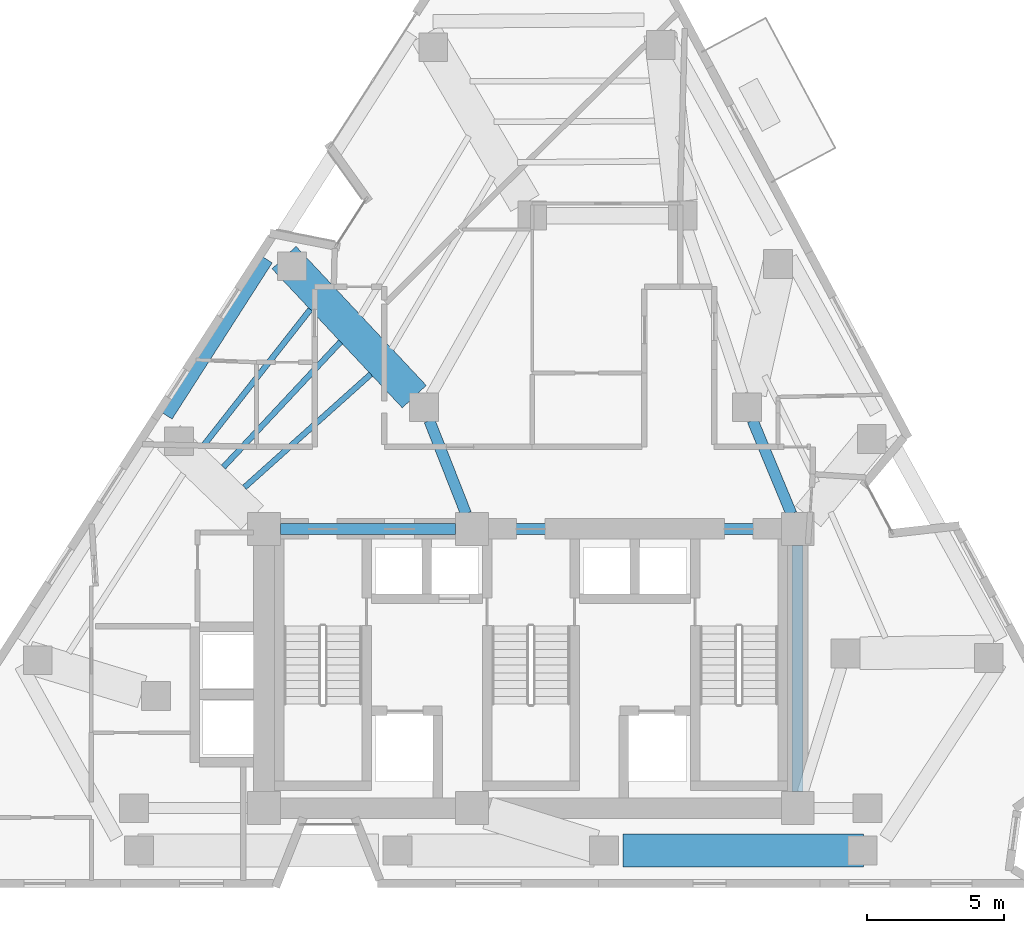
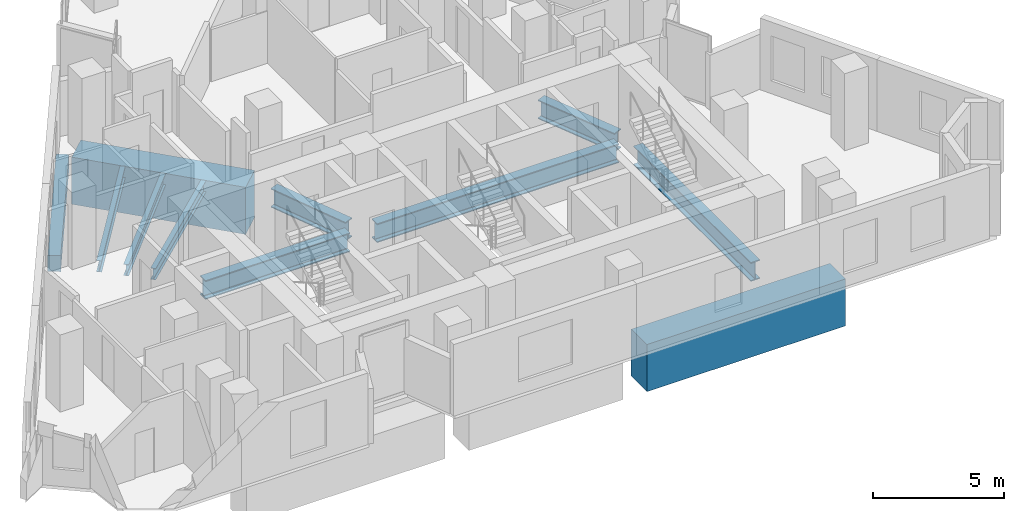
# One storey, part 3 of 11: 11 beams.
"""IFC4 building model written with IfcOpenShell, lengths in metres."""

from ifc_helpers import new_model, si_unit, direction, frame, origin, origin_2d, place, context, subcontext, project, spatial, rectangle, i_section, extrude, material, material_profile, profile_set, type_object, element, save


model = new_model("IFC4")

# Units and contexts
model_context = context("Model", 3, precision=1e-05, world=origin(), true_north=direction((0.0, 1.0)))
body_context = subcontext(model_context, "Body", "Model", "MODEL_VIEW")
ifc_project = project(units=[si_unit("LENGTHUNIT", "METRE"), si_unit("AREAUNIT", "SQUARE_METRE"), si_unit("VOLUMEUNIT", "CUBIC_METRE"), si_unit("PLANEANGLEUNIT", "RADIAN"), si_unit("MASSUNIT", "GRAM", prefix="KILO")], contexts=[model_context])

# Site, building, storey
site_placement = place(None, origin())
site = spatial("IfcSite", under=ifc_project, at=site_placement, CompositionType="ELEMENT")
building_placement = place(site_placement, origin())
building = spatial("IfcBuilding", under=site, at=building_placement, Name="Almagre Mirador Tower", CompositionType="ELEMENT")
storey_placement = place(building_placement, frame((0.0, 0.0, 175.199951171875)))
storey = spatial("IfcBuildingStorey", under=building, at=storey_placement, Name="L45", CompositionType="ELEMENT", Elevation=175.199951171875)

# Beams
ifc_material_1 = material(Name="Steel ASTM A992 Grade 50", Category="steel")
ifc_material_profile_1 = material_profile(ifc_material_1, i_section(OverallWidth=0.208984375, OverallDepth=0.532958984375, WebThickness=0.01025390625, FlangeThickness=0.015625, FilletRadius=0.01806640625, at=origin_2d()), Name="W21X62")
ifc_profile_set_1 = profile_set([ifc_material_profile_1], Name="Steel ASTM A992 Grade 50")
beam_type_1 = type_object("IfcBeamType", Name="BM-JST-W21X62", PredefinedType="JOIST", material=ifc_profile_set_1)
beam_1_placement = place(storey_placement, frame((29.243408203125, 22.770751953125, -0.516357421875), z_axis=(-0.61748734147, -0.786580817923, 0.0), x_axis=(0.786580817923, -0.61748734147, 0.0)))
element("IfcBeam", 1, at=beam_1_placement, inside=storey, type_object=beam_type_1, Name="L45 secondary floor joist PC10-PC11.1", PredefinedType="JOIST", context=body_context, shape_type="SweptSolid", body=[
    extrude(i_section(OverallWidth=0.208984375, OverallDepth=0.532958984375, WebThickness=0.01025390625, FlangeThickness=0.015625, FilletRadius=0.01806640625, at=origin_2d()), origin(), (0.0, 0.0, 1.0), 6.388916015625),
])
beam_2_placement = place(storey_placement, frame((30.346435546875, 21.584716796875, -0.516357421875), z_axis=(-0.6830344267, -0.730386180006, 0.0), x_axis=(0.730386180006, -0.6830344267, 0.0)))
element("IfcBeam", 2, at=beam_2_placement, inside=storey, type_object=beam_type_1, Name="L45 secondary floor joist PC10-PC11.2", PredefinedType="JOIST", context=body_context, shape_type="SweptSolid", body=[
    extrude(i_section(OverallWidth=0.208984375, OverallDepth=0.532958984375, WebThickness=0.01025390625, FlangeThickness=0.015625, FilletRadius=0.01806640625, at=origin_2d()), origin(), (0.0, 0.0, 1.0), 6.264404296875),
])
beam_3_placement = place(storey_placement, frame((31.45166015625, 20.40283203125, -0.516357421875), z_axis=(-0.744993984509, -0.667071182893, 0.0), x_axis=(0.667071182893, -0.744993984509, 0.0)))
element("IfcBeam", 3, at=beam_3_placement, inside=storey, type_object=beam_type_1, Name="L45 secondary floor joist PC10-PC11.3", PredefinedType="JOIST", context=body_context, shape_type="SweptSolid", body=[
    extrude(i_section(OverallWidth=0.208984375, OverallDepth=0.532958984375, WebThickness=0.01025390625, FlangeThickness=0.015625, FilletRadius=0.01806640625, at=origin_2d()), origin(), (0.0, 0.0, 1.0), 6.197265625),
])
ifc_material_2 = material(Name="Precast concrete C50/60", Category="concrete")
ifc_material_profile_2 = material_profile(ifc_material_2, rectangle(XDim=0.5, YDim=0.75, at=origin_2d()), Name="RC500X750")
ifc_profile_set_2 = profile_set([ifc_material_profile_2], Name="Precast concrete C50/60")
beam_type_2 = type_object("IfcBeamType", Name="BM-SPN-RC500X750", PredefinedType="SPANDREL", material=ifc_profile_set_2)
beam_4_placement = place(storey_placement, frame((27.638916015625, 24.60693359375, -0.625), z_axis=(-0.539533906924, -0.841963872906, 0.0), x_axis=(0.841963872906, -0.539533906924, 0.0)))
element("IfcBeam", 4, at=beam_4_placement, inside=storey, type_object=beam_type_2, Name="L45 perimeter spandrel beam PC10-PC11", PredefinedType="SPANDREL", context=body_context, shape_type="SweptSolid", body=[
    extrude(rectangle(XDim=0.5, YDim=0.75, at=origin_2d()), origin(), (0.0, 0.0, 1.0), 6.779296875),
])
ifc_material_3 = material(Name="Steel ASTM A992 Grade 50", Category="steel")
ifc_material_profile_3 = material_profile(ifc_material_3, i_section(OverallWidth=0.404052734375, OverallDepth=0.884033203125, WebThickness=0.0244140625, FlangeThickness=0.0439453125, FilletRadius=0.02490234375, at=origin_2d()), Name="W33X291")
ifc_profile_set_3 = profile_set([ifc_material_profile_3], Name="Steel ASTM A992 Grade 50")
beam_type_3 = type_object("IfcBeamType", Name="BM-STL-W33X291", PredefinedType="BEAM", material=ifc_profile_set_3)
beam_5_placement = place(storey_placement, frame((28.14990234375, 14.75, -0.69189453125), z_axis=(1.0, 0.0, 0.0), x_axis=(0.0, 1.0, 0.0)))
element("IfcBeam", 5, at=beam_5_placement, inside=storey, type_object=beam_type_3, Name="L45 core tie girder CC4-CC5", PredefinedType="BEAM", context=body_context, shape_type="SweptSolid", body=[
    extrude(i_section(OverallWidth=0.404052734375, OverallDepth=0.884033203125, WebThickness=0.0244140625, FlangeThickness=0.0439453125, FilletRadius=0.02490234375, at=origin_2d()), origin(), (0.0, 0.0, 1.0), 6.400146484375),
])
beam_6_placement = place(storey_placement, frame((35.75, 14.75, -0.69189453125), z_axis=(1.0, 0.0, 0.0), x_axis=(0.0, 1.0, 0.0)))
element("IfcBeam", 6, at=beam_6_placement, inside=storey, type_object=beam_type_3, Name="L45 core tie girder CC5-CC6", PredefinedType="BEAM", context=body_context, shape_type="SweptSolid", body=[
    extrude(i_section(OverallWidth=0.404052734375, OverallDepth=0.884033203125, WebThickness=0.0244140625, FlangeThickness=0.0439453125, FilletRadius=0.02490234375, at=origin_2d()), origin(), (0.0, 0.0, 1.0), 10.699951171875),
])
beam_7_placement = place(storey_placement, frame((47.050048828125, 5.14990234375, -0.69189453125), z_axis=(0.0, 1.0, 0.0), x_axis=(-1.0, 0.0, 0.0)))
element("IfcBeam", 7, at=beam_7_placement, inside=storey, type_object=beam_type_3, Name="L45 core tie girder CC3-CC6", PredefinedType="BEAM", context=body_context, shape_type="SweptSolid", body=[
    extrude(i_section(OverallWidth=0.404052734375, OverallDepth=0.884033203125, WebThickness=0.0244140625, FlangeThickness=0.0439453125, FilletRadius=0.02490234375, at=origin_2d()), origin(), (0.0, 0.0, 1.0), 9.0),
])
beam_8_placement = place(storey_placement, frame((45.401611328125, 18.715087890625, -0.69189453125), z_axis=(0.383845645019, -0.923397271384, 0.0), x_axis=(0.923397271384, 0.383845645019, 0.0)))
element("IfcBeam", 8, at=beam_8_placement, inside=storey, type_object=beam_type_3, Name="L45 core tie girder MC5-CC6", PredefinedType="BEAM", context=body_context, shape_type="SweptSolid", body=[
    extrude(i_section(OverallWidth=0.404052734375, OverallDepth=0.884033203125, WebThickness=0.0244140625, FlangeThickness=0.0439453125, FilletRadius=0.02490234375, at=origin_2d()), origin(), (0.0, 0.0, 1.0), 3.694091796875),
])
beam_9_placement = place(storey_placement, frame((33.592041015625, 18.71142578125, -0.69189453125), z_axis=(0.365997304164, -0.930615910752, 0.0), x_axis=(0.930615910752, 0.365997304164, 0.0)))
element("IfcBeam", 9, at=beam_9_placement, inside=storey, type_object=beam_type_3, Name="L45 core tie girder MC8-CC5", PredefinedType="BEAM", context=body_context, shape_type="SweptSolid", body=[
    extrude(i_section(OverallWidth=0.404052734375, OverallDepth=0.884033203125, WebThickness=0.0244140625, FlangeThickness=0.0439453125, FilletRadius=0.02490234375, at=origin_2d()), origin(), (0.0, 0.0, 1.0), 3.65673828125),
])
ifc_material_4 = material(Name="Concrete C60/75", Category="concrete")
ifc_material_profile_4 = material_profile(ifc_material_4, rectangle(XDim=1.199951171875, YDim=2.199951171875, at=origin_2d()), Name="RC1200X2200")
ifc_profile_set_4 = profile_set([ifc_material_profile_4], Name="Concrete C60/75")
beam_type_4 = type_object("IfcBeamType", Name="BM-XFER-RC1200X2200", PredefinedType="BEAM", material=ifc_profile_set_4)
beam_10_placement = place(storey_placement, frame((40.660888671875, 3.0, -1.349853515625), z_axis=(1.0, 0.0, 0.0), x_axis=(0.0, 1.0, 0.0)))
element("IfcBeam", 10, at=beam_10_placement, inside=storey, type_object=beam_type_4, Name="L45 perimeter spandrel beam PC03-PC04", PredefinedType="BEAM", context=body_context, shape_type="SweptSolid", body=[
    extrude(rectangle(XDim=1.199951171875, YDim=2.199951171875, at=origin_2d()), origin(), (0.0, 0.0, 1.0), 8.7900390625),
])
beam_11_placement = place(storey_placement, frame((28.281005859375, 24.665771484375, -1.349853515625), z_axis=(0.683570174234, -0.729884797004, 0.0), x_axis=(0.729884797004, 0.683570174234, 0.0)))
element("IfcBeam", 11, at=beam_11_placement, inside=storey, type_object=beam_type_4, Name="L45 radial transfer girder PC10-MC8", PredefinedType="BEAM", context=body_context, shape_type="SweptSolid", body=[
    extrude(rectangle(XDim=1.199951171875, YDim=2.199951171875, at=origin_2d()), origin(), (0.0, 0.0, 1.0), 6.96337890625),
])

save(model, "model.ifc")
